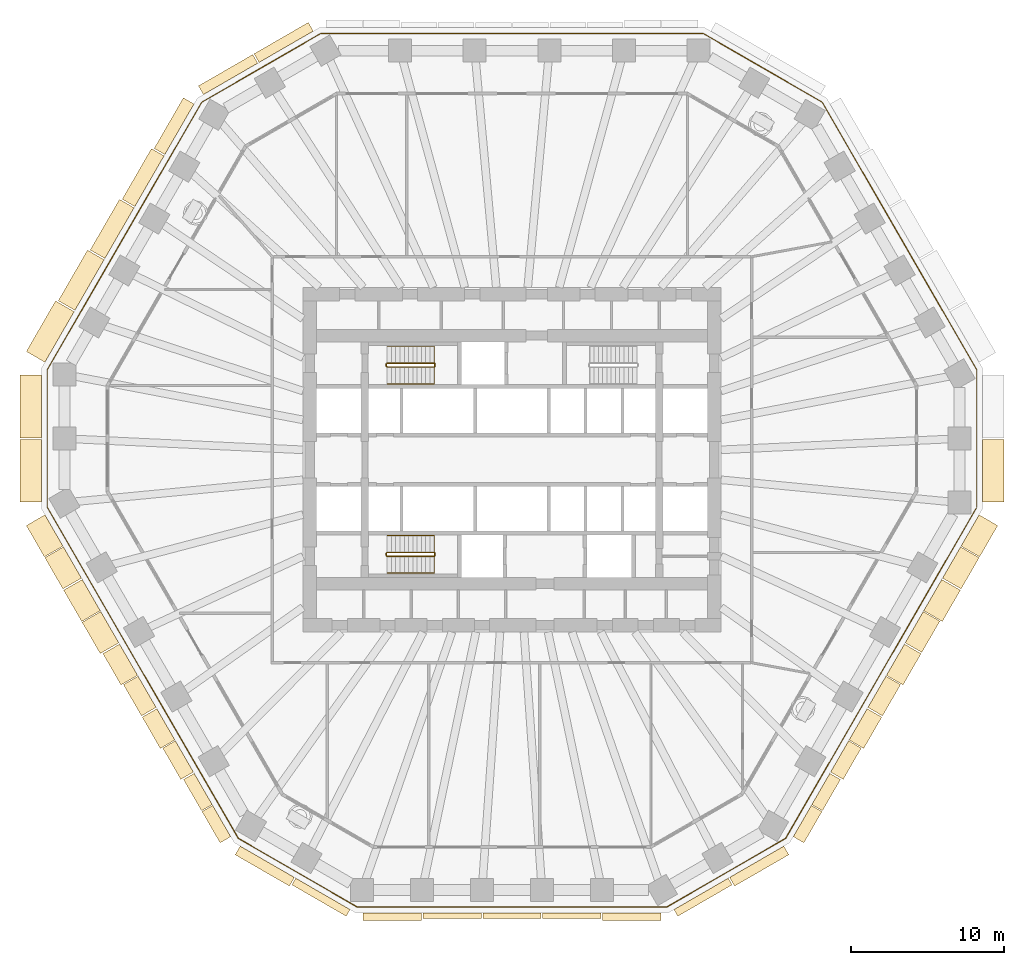
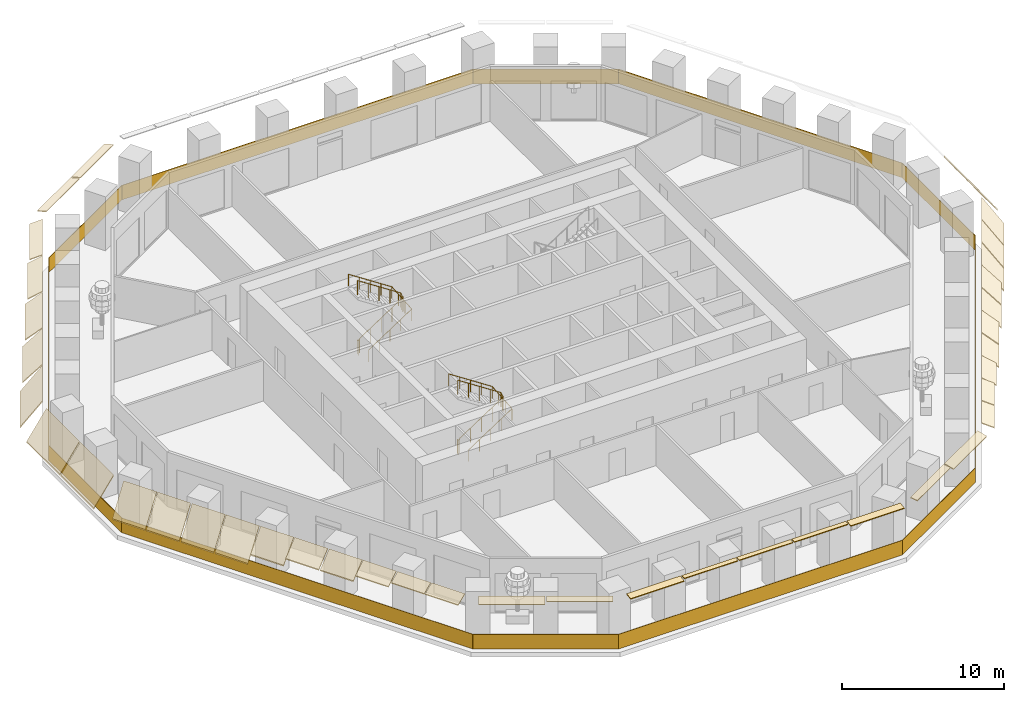
# One storey, part 9 of 12: 39 coverings, 5 railings.
"""IFC4 building model written with IfcOpenShell, lengths in metres."""

import ifcopenshell
import ifcopenshell.guid

model = None  # the IFC model being written
_history = None  # IfcOwnerHistory: only IFC2X3 demands one
_inside = {}  # id of a spatial element -> (the spatial element, [elements in it])
_under = {}  # id of a project, library or spatial element -> (it, [spatial elements below it])
_declared = {}  # id of a project -> (the project, [libraries it declares])
_typed = {}  # id of a type object -> (the type object, [elements of that type])
_made_of = {}  # id of a material, layer set ... -> (it, [elements and type objects made of it])


def new_model(schema):
    """Start an empty IFC model of exactly this schema.

    Asked for "IFC4X3", IfcOpenShell would pick the latest addendum, in which some entities
    have other attributes; the version numbers below select the first issue.
    IFC2X3 requires an IfcOwnerHistory on every rooted entity: one is made here for all.
    """
    global model, _history
    if schema == "IFC4X3":
        model = ifcopenshell.file(schema_version=(4, 3, 0, 0))
    else:
        model = ifcopenshell.file(schema=schema)
    _inside.clear()
    _under.clear()
    _declared.clear()
    _typed.clear()
    _made_of.clear()
    _history = None
    if model.schema == "IFC2X3":
        org = make("IfcOrganization", Name="unknown")
        user = make(
            "IfcPersonAndOrganization",
            ThePerson=make("IfcPerson", FamilyName="unknown"),
            TheOrganization=org,
        )
        app = make(
            "IfcApplication",
            ApplicationDeveloper=org,
            Version="unknown",
            ApplicationFullName="unknown",
            ApplicationIdentifier="unknown",
        )
        _history = make(
            "IfcOwnerHistory",
            OwningUser=user,
            OwningApplication=app,
            ChangeAction="ADDED",
            CreationDate=0,
        )
    return model


def make(cls, **values):
    """One entity of the class cls with the attributes given. An attribute that is None is left unset."""
    return model.create_entity(
        cls, **{name: value for name, value in values.items() if value is not None}
    )


def rooted(cls, **values):
    """An entity with a GlobalId (a new one), such as an element, a storey or a relation."""
    return make(cls, GlobalId=ifcopenshell.guid.new(), OwnerHistory=_history, **values)


def si_unit(unit_type, name, prefix=None):
    """IfcSIUnit, for example si_unit("LENGTHUNIT", "METRE", prefix="MILLI")."""
    return make("IfcSIUnit", UnitType=unit_type, Prefix=prefix, Name=name)


def assignment(units):
    """IfcUnitAssignment: the units of a project."""
    return None if units is None else make("IfcUnitAssignment", Units=units)


def point(xyz):
    """IfcCartesianPoint."""
    return None if xyz is None else make("IfcCartesianPoint", Coordinates=xyz)


def direction(xyz):
    """IfcDirection."""
    return None if xyz is None else make("IfcDirection", DirectionRatios=xyz)


def frame(location, z_axis=None, x_axis=None):
    """IfcAxis2Placement3D, a coordinate frame: its origin and axes. An axis left out is left unset."""
    return make(
        "IfcAxis2Placement3D",
        Location=point(location),
        Axis=direction(z_axis),
        RefDirection=direction(x_axis),
    )


def frame_2d(location, x_axis=None):
    """IfcAxis2Placement2D, a coordinate frame in the plane: its origin and x axis."""
    return make(
        "IfcAxis2Placement2D", Location=point(location), RefDirection=direction(x_axis)
    )


def origin():
    """The frame at (0, 0, 0) with its axes left unset."""
    return frame((0.0, 0.0, 0.0))


def origin_2d():
    """The frame at (0, 0) in the plane with its x axis left unset."""
    return frame_2d((0.0, 0.0))


def place(relative_to, where):
    """IfcLocalPlacement: puts the frame where relative to a parent placement (None: the world)."""
    return make(
        "IfcLocalPlacement", PlacementRelTo=relative_to, RelativePlacement=where
    )


def context(
    kind, dimensions, precision=None, world=None, true_north=None, identifier=None
):
    """IfcGeometricRepresentationContext, for example the 3D "Model" context."""
    return make(
        "IfcGeometricRepresentationContext",
        ContextIdentifier=identifier,
        ContextType=kind,
        CoordinateSpaceDimension=dimensions,
        Precision=precision,
        WorldCoordinateSystem=world,
        TrueNorth=true_north,
    )


def subcontext(parent, identifier, kind, view, scale=None):
    """IfcGeometricRepresentationSubContext, for example "Body" below "Model"."""
    return make(
        "IfcGeometricRepresentationSubContext",
        ContextIdentifier=identifier,
        ContextType=kind,
        ParentContext=parent,
        TargetScale=scale,
        TargetView=view,
    )


def project(units=None, contexts=None):
    """IfcProject with its units and contexts."""
    return rooted(
        "IfcProject",
        Name="project",
        RepresentationContexts=contexts,
        UnitsInContext=assignment(units),
    )


def spatial(cls, under=None, at=None, **own):
    """A site, building, storey or space (cls), placed at a placement, below another one or the project."""
    s = rooted(cls, ObjectPlacement=at, **own)
    if under is not None:
        _under.setdefault(under.id(), (under, []))[1].append(s)
    return s


def polyline(points):
    """IfcPolyline through the points."""
    return make("IfcPolyline", Points=[point(p) for p in points])


def profile(cls, at=None, kind="AREA", **sizes):
    """A parametric profile (cls). Its sizes go by their IFC names, for example OverallWidth=200.0."""
    return make(cls, ProfileType=kind, Position=at, **sizes)


def rectangle(**sizes):
    """IfcRectangleProfileDef."""
    return profile("IfcRectangleProfileDef", **sizes)


def circle(**sizes):
    """IfcCircleProfileDef."""
    return profile("IfcCircleProfileDef", **sizes)


def outline(outer, holes=None, kind="AREA"):
    """IfcArbitraryClosedProfileDef: a profile drawn as a closed curve; with holes, ...WithVoids."""
    if holes is None:
        return make("IfcArbitraryClosedProfileDef", ProfileType=kind, OuterCurve=outer)
    return make(
        "IfcArbitraryProfileDefWithVoids",
        ProfileType=kind,
        OuterCurve=outer,
        InnerCurves=holes,
    )


def extrude(swept, where, along, depth):
    """IfcExtrudedAreaSolid: the profile swept, set in the frame where, extruded along a direction by depth."""
    return make(
        "IfcExtrudedAreaSolid",
        SweptArea=swept,
        Position=where,
        ExtrudedDirection=direction(along),
        Depth=depth,
    )


def shape(context_of_items, identifier, shape_type, items):
    """IfcShapeRepresentation: the items that make up one representation, for example the "Body"."""
    return make(
        "IfcShapeRepresentation",
        ContextOfItems=context_of_items,
        RepresentationIdentifier=identifier,
        RepresentationType=shape_type,
        Items=items,
    )


def material(Name=None, Category=None):
    """IfcMaterial."""
    return make("IfcMaterial", Name=Name, Category=Category)


def layer(
    of_material, thickness, ventilated=None, Name=None, Category=None, Priority=None
):
    """IfcMaterialLayer: one layer of a wall or slab, of a material (None: an air gap)."""
    return make(
        "IfcMaterialLayer",
        Material=of_material,
        LayerThickness=thickness,
        IsVentilated=ventilated,
        Name=Name,
        Category=Category,
        Priority=Priority,
    )


def layer_set(layers, Name=None):
    """IfcMaterialLayerSet."""
    return make("IfcMaterialLayerSet", MaterialLayers=layers, LayerSetName=Name)


def made_of(thing, what):
    """Note that an element or type object is made of a material, layer set ...; save() writes the relation."""
    if what is not None:
        _made_of.setdefault(what.id(), (what, []))[1].append(thing)
    return thing


def type_object(cls, material=None, **own):
    """A type object (cls), such as IfcWallType, which elements share."""
    return made_of(rooted(cls, **own), material)


def element(
    cls,
    number,
    at=None,
    inside=None,
    cuts=None,
    type_object=None,
    material=None,
    context=None,
    identifier="Body",
    shape_type=None,
    held_by="IfcProductDefinitionShape",
    body=None,
    shapes=None,
    **own,
):
    """One element of the class cls, such as IfcWall. Its Tag is "e" and its number.

    at: its placement. inside: the storey or other place that contains it. cuts: it is an
    opening in that element (IfcRelVoidsElement). A single representation is given by context,
    identifier, shape_type and body (its items); several are given by shapes. held_by: the class
    of the entity that holds the representations. save() writes the other relations.
    """
    e = rooted(cls, Tag="e%d" % number, ObjectPlacement=at, **own)
    if body is not None:
        shapes = [shape(context, identifier, shape_type, body)]
    if shapes is not None:
        e.Representation = make(held_by, Representations=shapes)
    if inside is not None:
        _inside.setdefault(inside.id(), (inside, []))[1].append(e)
    if cuts is not None:
        rooted(
            "IfcRelVoidsElement", RelatingBuildingElement=cuts, RelatedOpeningElement=e
        )
    if type_object is not None:
        _typed.setdefault(type_object.id(), (type_object, []))[1].append(e)
    return made_of(e, material)


def aggregate(whole, parts):
    """IfcRelAggregates: a whole, such as a stair, and the parts it consists of."""
    return rooted("IfcRelAggregates", RelatingObject=whole, RelatedObjects=parts)


def save(model, path):
    """Write the relations noted so far, then the file.

    IfcRelAggregates (storeys below a building ...), IfcRelContainedInSpatialStructure (elements
    in a storey), IfcRelDefinesByType, IfcRelAssociatesMaterial and IfcRelDeclares: one each for
    every whole, place, type object, material and project.
    """
    for whole, parts in _under.values():
        aggregate(whole, parts)
    for where, things in _inside.values():
        rooted(
            "IfcRelContainedInSpatialStructure",
            RelatedElements=things,
            RelatingStructure=where,
        )
    for kind, things in _typed.values():
        rooted("IfcRelDefinesByType", RelatedObjects=things, RelatingType=kind)
    for what, things in _made_of.values():
        rooted("IfcRelAssociatesMaterial", RelatedObjects=things, RelatingMaterial=what)
    for by, libraries in _declared.values():
        rooted("IfcRelDeclares", RelatingContext=by, RelatedDefinitions=libraries)
    model.write(path)


model = new_model("IFC4")

# Units and contexts
model_context = context("Model", 3, precision=1e-05, world=origin(), true_north=direction((0.0, 1.0)))
body_context = subcontext(model_context, "Body", "Model", "MODEL_VIEW")
ifc_project = project(units=[si_unit("LENGTHUNIT", "METRE"), si_unit("AREAUNIT", "SQUARE_METRE"), si_unit("VOLUMEUNIT", "CUBIC_METRE"), si_unit("PLANEANGLEUNIT", "RADIAN"), si_unit("MASSUNIT", "GRAM", prefix="KILO")], contexts=[model_context])

# Site, building, storey
site_placement = place(None, origin())
site = spatial("IfcSite", under=ifc_project, at=site_placement, CompositionType="ELEMENT")
building_placement = place(site_placement, origin())
building = spatial("IfcBuilding", under=site, at=building_placement, Name="Frailejon Research Tower", CompositionType="ELEMENT")
storey_placement = place(building_placement, frame((0.0, 0.0, 58.60009765625)))
storey = spatial("IfcBuildingStorey", under=building, at=storey_placement, Name="L13", CompositionType="ELEMENT", Elevation=58.60009765625)

# Coverings
ifc_material_1 = material(Name="Precast concrete C50/60", Category="concrete")
ifc_layer_1 = layer(ifc_material_1, 0.06005859375)
ifc_layer_set_1 = layer_set([ifc_layer_1], Name="Brim blade depth 1100")
covering_type_1 = type_object("IfcCoveringType", Name="Brim blade depth 1100", PredefinedType="CLADDING", material=ifc_layer_set_1)
covering_1_placement = place(storey_placement, frame((-26.572509765625, 13.140380859375, 4.25), z_axis=(0.500001217064, 0.866024701111, 0.0), x_axis=(-0.866024701111, 0.500001217064, 0.0)))
element("IfcCovering", 1, at=covering_1_placement, inside=storey, type_object=covering_type_1, Name="Brim blade L13", PredefinedType="CLADDING", context=body_context, shape_type="SweptSolid", body=[
    extrude(outline(polyline([(0.0, -0.078369140625), (1.10009765625, -1.001220703125), (1.10009765625, -0.923095703125), (0.0, 0.0), (0.0, -0.078369140625)])), origin(), (0.0, 0.0, 1.0), 3.8125),
])
for number, where, z_axis, x_axis, name in (
    (2, (-23.229248046875, -16.165771484375, 4.25), (-0.50000563012, 0.866022153209, 0.0), (-0.866022153209, -0.50000563012, 0.0), "Brim blade L13"),
    (3, (-22.001708984375, -18.2919921875, 4.25), (-0.499996739973, 0.866027285954, 0.0), (-0.866027285954, -0.499996739973, 0.0), "Brim blade L13"),
    (4, (23.17919921875, -16.252197265625, 4.25), (-0.499996739973, -0.866027285954, 0.0), (0.866027285954, -0.499996739973, 0.0), "Brim blade L13"),
    (5, (24.406982421875, -14.1259765625, 4.25), (-0.50000563012, -0.866022153209, 0.0), (0.866022153209, -0.50000563012, 0.0), "Brim blade L13"),
):
    element("IfcCovering", number, at=place(storey_placement, frame(where, z_axis=z_axis, x_axis=x_axis)), inside=storey, type_object=covering_type_1, Name=name, PredefinedType="CLADDING", context=body_context, shape_type="SweptSolid", body=[
        extrude(outline(polyline([(0.0, -0.078369140625), (1.10009765625, -1.001220703125), (1.10009765625, -0.923095703125), (0.0, 0.0), (0.0, -0.078369140625)])), origin(), (0.0, 0.0, 1.0), 2.355224609375),
    ])
ifc_material_2 = material(Name="Precast concrete C50/60", Category="concrete")
ifc_layer_2 = layer(ifc_material_2, 0.06005859375)
ifc_layer_set_2 = layer_set([ifc_layer_2], Name="Brim blade depth 1250")
covering_type_2 = type_object("IfcCoveringType", Name="Brim blade depth 1250", PredefinedType="CLADDING", material=ifc_layer_set_2)
covering_2_placement = place(storey_placement, frame((-28.52880859375, 9.751953125, 4.25), z_axis=(0.499990149831, 0.866031090707, 0.0), x_axis=(-0.866031090707, 0.499990149831, 0.0)))
element("IfcCovering", 6, at=covering_2_placement, inside=storey, type_object=covering_type_2, Name="Brim blade L13", PredefinedType="CLADDING", context=body_context, shape_type="SweptSolid", body=[
    extrude(outline(polyline([(0.0, -0.0888671875), (1.25, -1.452880859375), (1.25, -1.364013671875), (0.0, 0.0), (0.0, -0.0888671875)])), origin(), (0.0, 0.0, 1.0), 3.812744140625),
])
for number, where, z_axis, x_axis, name in (
    (7, (-24.43701171875, -14.073974609375, 4.25), (-0.50000563012, 0.866022153209, 0.0), (-0.866022153209, -0.50000563012, 0.0), "Brim blade L13"),
    (8, (25.614501953125, -12.0341796875, 4.25), (-0.50000563012, -0.866022153209, 0.0), (0.866022153209, -0.50000563012, 0.0), "Brim blade L13"),
    (9, (26.84228515625, -9.907958984375, 4.25), (-0.499996739973, -0.866027285954, 0.0), (0.866027285954, -0.499996739973, 0.0), "Brim blade L13"),
):
    element("IfcCovering", number, at=place(storey_placement, frame(where, z_axis=z_axis, x_axis=x_axis)), inside=storey, type_object=covering_type_2, Name=name, PredefinedType="CLADDING", context=body_context, shape_type="SweptSolid", body=[
        extrude(outline(polyline([(0.0, -0.0888671875), (1.25, -1.452880859375), (1.25, -1.364013671875), (0.0, 0.0), (0.0, -0.0888671875)])), origin(), (0.0, 0.0, 1.0), 2.355224609375),
    ])
ifc_material_3 = material(Name="Precast concrete C50/60", Category="concrete")
ifc_layer_3 = layer(ifc_material_3, 0.06005859375)
ifc_layer_set_3 = layer_set([ifc_layer_3], Name="Brim blade depth 1400")
covering_type_3 = type_object("IfcCoveringType", Name="Brim blade depth 1400", PredefinedType="CLADDING", material=ifc_layer_set_3)
covering_3_placement = place(storey_placement, frame((30.711181640625, 1.332763671875, 4.25), z_axis=(0.0, -1.0, 0.0), x_axis=(1.0, 0.0, 0.0)))
element("IfcCovering", 10, at=covering_3_placement, inside=storey, type_object=covering_type_3, Name="Brim blade L13", PredefinedType="CLADDING", context=body_context, shape_type="SweptSolid", body=[
    extrude(outline(polyline([(0.0, -0.1044921875), (1.39990234375, -2.10400390625), (1.39990234375, -1.99951171875), (0.0, 0.0), (0.0, -0.1044921875)])), origin(), (0.0, 0.0, 1.0), 4.087646484375),
])
covering_4_placement = place(storey_placement, frame((-30.485107421875, 6.363525390625, 4.25), z_axis=(0.500001217064, 0.866024701111, 0.0), x_axis=(-0.866024701111, 0.500001217064, 0.0)))
element("IfcCovering", 11, at=covering_4_placement, inside=storey, type_object=covering_type_3, Name="Brim blade L13", PredefinedType="CLADDING", context=body_context, shape_type="SweptSolid", body=[
    extrude(outline(polyline([(0.0, -0.1044921875), (1.39990234375, -2.10400390625), (1.39990234375, -1.99951171875), (0.0, 0.0), (0.0, -0.1044921875)])), origin(), (0.0, 0.0, 1.0), 3.8125),
])
covering_5_placement = place(storey_placement, frame((-30.711181640625, 1.432861328125, 4.25), z_axis=(0.0, 1.0, 0.0), x_axis=(-1.0, 0.0, 0.0)))
element("IfcCovering", 12, at=covering_5_placement, inside=storey, type_object=covering_type_3, Name="Brim blade L13", PredefinedType="CLADDING", context=body_context, shape_type="SweptSolid", body=[
    extrude(outline(polyline([(0.0, -0.1044921875), (1.39990234375, -2.10400390625), (1.39990234375, -1.99951171875), (0.0, 0.0), (0.0, -0.1044921875)])), origin(), (0.0, 0.0, 1.0), 4.08740234375),
])
covering_6_placement = place(storey_placement, frame((-30.711181640625, -2.7548828125, 4.25), z_axis=(0.0, 1.0, 0.0), x_axis=(-1.0, 0.0, 0.0)))
element("IfcCovering", 13, at=covering_6_placement, inside=storey, type_object=covering_type_3, Name="Brim blade L13", PredefinedType="CLADDING", context=body_context, shape_type="SweptSolid", body=[
    extrude(outline(polyline([(0.0, -0.1044921875), (1.39990234375, -2.10400390625), (1.39990234375, -1.99951171875), (0.0, 0.0), (0.0, -0.1044921875)])), origin(), (0.0, 0.0, 1.0), 4.087646484375),
])
for number, where, z_axis, x_axis, name in (
    (14, (-29.3076171875, -5.637939453125, 4.25), (-0.499996739973, 0.866027285954, 0.0), (-0.866027285954, -0.499996739973, 0.0), "Brim blade L13"),
    (15, (-28.099853515625, -7.7294921875, 4.25), (-0.499996739973, 0.866027285954, 0.0), (-0.866027285954, -0.499996739973, 0.0), "Brim blade L13"),
    (16, (-26.872314453125, -9.85595703125, 4.25), (-0.499996739973, 0.866027285954, 0.0), (-0.866027285954, -0.499996739973, 0.0), "Brim blade L13"),
    (17, (-25.66455078125, -11.94775390625, 4.25), (-0.499996739973, 0.866027285954, 0.0), (-0.866027285954, -0.499996739973, 0.0), "Brim blade L13"),
    (18, (28.0498046875, -7.816162109375, 4.25), (-0.499996739973, -0.866027285954, 0.0), (0.866027285954, -0.499996739973, 0.0), "Brim blade L13"),
    (19, (29.277587890625, -5.689697265625, 4.25), (-0.499996739973, -0.866027285954, 0.0), (0.866027285954, -0.499996739973, 0.0), "Brim blade L13"),
    (20, (30.485107421875, -3.59814453125, 4.25), (-0.499996739973, -0.866027285954, 0.0), (0.866027285954, -0.499996739973, 0.0), "Brim blade L13"),
):
    element("IfcCovering", number, at=place(storey_placement, frame(where, z_axis=z_axis, x_axis=x_axis)), inside=storey, type_object=covering_type_3, Name=name, PredefinedType="CLADDING", context=body_context, shape_type="SweptSolid", body=[
        extrude(outline(polyline([(0.0, -0.1044921875), (1.39990234375, -2.10400390625), (1.39990234375, -1.99951171875), (0.0, 0.0), (0.0, -0.1044921875)])), origin(), (0.0, 0.0, 1.0), 2.355224609375),
    ])
ifc_material_4 = material(Name="Precast concrete C50/60", Category="concrete")
ifc_layer_4 = layer(ifc_material_4, 0.06005859375)
ifc_layer_set_4 = layer_set([ifc_layer_4], Name="Brim blade depth 350")
covering_type_4 = type_object("IfcCoveringType", Name="Brim blade depth 350", PredefinedType="CLADDING", material=ifc_layer_set_4)
for number, where, z_axis, x_axis, name in (
    (21, (-2.00634765625, -29.582763671875, 4.25), (-1.0, 0.0, 0.0), (0.0, -1.0, 0.0), "Brim blade L13"),
    (22, (1.90625, -29.582763671875, 4.25), (-1.0, 0.0, 0.0), (0.0, -1.0, 0.0), "Brim blade L13"),
    (23, (5.81884765625, -29.582763671875, 4.25), (-1.0, 0.0, 0.0), (0.0, -1.0, 0.0), "Brim blade L13"),
):
    element("IfcCovering", number, at=place(storey_placement, frame(where, z_axis=z_axis, x_axis=x_axis)), inside=storey, type_object=covering_type_4, Name=name, PredefinedType="CLADDING", context=body_context, shape_type="SweptSolid", body=[
        extrude(outline(polyline([(0.0, -0.06005859375), (0.35009765625, -0.06005859375), (0.35009765625, 0.0), (0.0, 0.0), (0.0, -0.06005859375)])), origin(), (0.0, 0.0, 1.0), 3.8125),
    ])
ifc_material_5 = material(Name="Precast concrete C50/60", Category="concrete")
ifc_layer_5 = layer(ifc_material_5, 0.06005859375)
ifc_layer_set_5 = layer_set([ifc_layer_5], Name="Brim blade depth 500")
covering_type_5 = type_object("IfcCoveringType", Name="Brim blade depth 500", PredefinedType="CLADDING", material=ifc_layer_set_5)
covering_7_placement = place(storey_placement, frame((-10.57470703125, -29.356689453125, 4.25), z_axis=(-0.866027315287, 0.499996689166, 0.0), x_axis=(-0.499996689166, -0.866027315287, 0.0)))
element("IfcCovering", 24, at=covering_7_placement, inside=storey, type_object=covering_type_5, Name="Brim blade L13", PredefinedType="CLADDING", context=body_context, shape_type="SweptSolid", body=[
    extrude(outline(polyline([(0.0, -0.060546875), (0.5, -0.130859375), (0.5, -0.0703125), (0.0, 0.0), (0.0, -0.060546875)])), origin(), (0.0, 0.0, 1.0), 4.087646484375),
])
for number, where, z_axis, x_axis, name in (
    (25, (-5.9189453125, -29.582763671875, 4.25), (-1.0, 0.0, 0.0), (0.0, -1.0, 0.0), "Brim blade L13"),
    (26, (9.7314453125, -29.582763671875, 4.25), (-1.0, 0.0, 0.0), (0.0, -1.0, 0.0), "Brim blade L13"),
):
    element("IfcCovering", number, at=place(storey_placement, frame(where, z_axis=z_axis, x_axis=x_axis)), inside=storey, type_object=covering_type_5, Name=name, PredefinedType="CLADDING", context=body_context, shape_type="SweptSolid", body=[
        extrude(outline(polyline([(0.0, -0.060546875), (0.5, -0.130859375), (0.5, -0.0703125), (0.0, 0.0), (0.0, -0.060546875)])), origin(), (0.0, 0.0, 1.0), 3.8125),
    ])
covering_8_placement = place(storey_placement, frame((14.11474609375, -27.31298828125, 4.25), z_axis=(-0.866027315287, -0.499996689166, 0.0), x_axis=(0.499996689166, -0.866027315287, 0.0)))
element("IfcCovering", 27, at=covering_8_placement, inside=storey, type_object=covering_type_5, Name="Brim blade L13", PredefinedType="CLADDING", context=body_context, shape_type="SweptSolid", body=[
    extrude(outline(polyline([(0.0, -0.060546875), (0.5, -0.130859375), (0.5, -0.0703125), (0.0, 0.0), (0.0, -0.060546875)])), origin(), (0.0, 0.0, 1.0), 4.087646484375),
])
ifc_material_6 = material(Name="Precast concrete C50/60", Category="concrete")
ifc_layer_6 = layer(ifc_material_6, 0.06005859375)
ifc_layer_set_6 = layer_set([ifc_layer_6], Name="Brim blade depth 650")
covering_type_6 = type_object("IfcCoveringType", Name="Brim blade depth 650", PredefinedType="CLADDING", material=ifc_layer_set_6)
covering_9_placement = place(storey_placement, frame((-16.509765625, 25.93017578125, 4.25), z_axis=(0.866027315287, 0.499996689166, 0.0), x_axis=(-0.499996689166, 0.866027315287, 0.0)))
element("IfcCovering", 28, at=covering_9_placement, inside=storey, type_object=covering_type_6, Name="Brim blade L13", PredefinedType="CLADDING", context=body_context, shape_type="SweptSolid", body=[
    extrude(outline(polyline([(0.0, -0.0625), (0.64990234375, -0.248779296875), (0.64990234375, -0.186279296875), (0.0, 0.0), (0.0, -0.0625)])), origin(), (0.0, 0.0, 1.0), 4.087646484375),
])
for number, where, z_axis, x_axis, name in (
    (29, (-20.13623046875, 23.83642578125, 4.25), (0.866021344981, 0.500007029989, 0.0), (-0.500007029989, 0.866021344981, 0.0), "Brim blade L13"),
    (30, (-14.201416015625, -27.262939453125, 4.25), (-0.866021344981, 0.500007029989, 0.0), (-0.500007029989, -0.866021344981, 0.0), "Brim blade L13"),
    (31, (17.7412109375, -25.21923828125, 4.25), (-0.866021344981, -0.500007029989, 0.0), (0.500007029989, -0.866021344981, 0.0), "Brim blade L13"),
):
    element("IfcCovering", number, at=place(storey_placement, frame(where, z_axis=z_axis, x_axis=x_axis)), inside=storey, type_object=covering_type_6, Name=name, PredefinedType="CLADDING", context=body_context, shape_type="SweptSolid", body=[
        extrude(outline(polyline([(0.0, -0.0625), (0.64990234375, -0.248779296875), (0.64990234375, -0.186279296875), (0.0, 0.0), (0.0, -0.0625)])), origin(), (0.0, 0.0, 1.0), 4.08740234375),
    ])
ifc_material_7 = material(Name="Precast concrete C50/60", Category="concrete")
ifc_layer_7 = layer(ifc_material_7, 0.06005859375)
ifc_layer_set_7 = layer_set([ifc_layer_7], Name="Brim blade depth 800")
covering_type_7 = type_object("IfcCoveringType", Name="Brim blade depth 800", PredefinedType="CLADDING", material=ifc_layer_set_7)
covering_10_placement = place(storey_placement, frame((-22.659912109375, 19.917236328125, 4.25), z_axis=(0.500001217064, 0.866024701111, 0.0), x_axis=(-0.866024701111, 0.500001217064, 0.0)))
element("IfcCovering", 32, at=covering_10_placement, inside=storey, type_object=covering_type_7, Name="Brim blade L13", PredefinedType="CLADDING", context=body_context, shape_type="SweptSolid", body=[
    extrude(outline(polyline([(0.0, -0.065673828125), (0.800048828125, -0.421875), (0.800048828125, -0.356201171875), (0.0, 0.0), (0.0, -0.065673828125)])), origin(), (0.0, 0.0, 1.0), 3.8125),
])
for number, where, z_axis, x_axis, name in (
    (33, (-19.56640625, -22.51025390625, 4.25), (-0.499996739973, 0.866027285954, 0.0), (-0.866027285954, -0.499996739973, 0.0), "Brim blade L13"),
    (34, (-18.358642578125, -24.601806640625, 4.25), (-0.499996739973, 0.866027285954, 0.0), (-0.866027285954, -0.499996739973, 0.0), "Brim blade L13"),
    (35, (19.536376953125, -22.56201171875, 4.25), (-0.499996739973, -0.866027285954, 0.0), (0.866027285954, -0.499996739973, 0.0), "Brim blade L13"),
    (36, (20.743896484375, -20.470458984375, 4.25), (-0.499996739973, -0.866027285954, 0.0), (0.866027285954, -0.499996739973, 0.0), "Brim blade L13"),
):
    element("IfcCovering", number, at=place(storey_placement, frame(where, z_axis=z_axis, x_axis=x_axis)), inside=storey, type_object=covering_type_7, Name=name, PredefinedType="CLADDING", context=body_context, shape_type="SweptSolid", body=[
        extrude(outline(polyline([(0.0, -0.065673828125), (0.800048828125, -0.421875), (0.800048828125, -0.356201171875), (0.0, 0.0), (0.0, -0.065673828125)])), origin(), (0.0, 0.0, 1.0), 2.355224609375),
    ])
ifc_material_8 = material(Name="Precast concrete C50/60", Category="concrete")
ifc_layer_8 = layer(ifc_material_8, 0.06005859375)
ifc_layer_set_8 = layer_set([ifc_layer_8], Name="Brim blade depth 950")
covering_type_8 = type_object("IfcCoveringType", Name="Brim blade depth 950", PredefinedType="CLADDING", material=ifc_layer_set_8)
covering_11_placement = place(storey_placement, frame((-24.6162109375, 16.52880859375, 4.25), z_axis=(0.500001217064, 0.866024701111, 0.0), x_axis=(-0.866024701111, 0.500001217064, 0.0)))
element("IfcCovering", 37, at=covering_11_placement, inside=storey, type_object=covering_type_8, Name="Brim blade L13", PredefinedType="CLADDING", context=body_context, shape_type="SweptSolid", body=[
    extrude(outline(polyline([(0.0, -0.07080078125), (0.949951171875, -0.664306640625), (0.949951171875, -0.593505859375), (0.0, 0.0), (0.0, -0.07080078125)])), origin(), (0.0, 0.0, 1.0), 3.8125),
])
for number, where, z_axis, x_axis, name in (
    (38, (-20.7939453125, -20.3837890625, 4.25), (-0.499996739973, 0.866027285954, 0.0), (-0.866027285954, -0.499996739973, 0.0), "Brim blade L13"),
    (39, (21.9716796875, -18.343994140625, 4.25), (-0.499996739973, -0.866027285954, 0.0), (0.866027285954, -0.499996739973, 0.0), "Brim blade L13"),
):
    element("IfcCovering", number, at=place(storey_placement, frame(where, z_axis=z_axis, x_axis=x_axis)), inside=storey, type_object=covering_type_8, Name=name, PredefinedType="CLADDING", context=body_context, shape_type="SweptSolid", body=[
        extrude(outline(polyline([(0.0, -0.07080078125), (0.949951171875, -0.664306640625), (0.949951171875, -0.593505859375), (0.0, 0.0), (0.0, -0.07080078125)])), origin(), (0.0, 0.0, 1.0), 2.355224609375),
    ])

# Railings
ifc_material_9 = material(Name="Laminated glass balustrade", Category="glass")
railing_type_1 = type_object("IfcRailingType", Name="Glass guard 1100", PredefinedType="GUARDRAIL", material=ifc_material_9)
railing_1_placement = place(storey_placement, frame((30.331787109375, -3.10498046875, 0.0)))
element("IfcRailing", 40, at=railing_1_placement, inside=storey, type_object=railing_type_1, Name="Loggia guard L13", PredefinedType="GUARDRAIL", context=body_context, shape_type="SweptSolid", body=[
    extrude(rectangle(XDim=8.9755859375, YDim=0.030029296875, at=origin_2d()), frame((0.0, 4.48779296875, 0.0), z_axis=(0.0, 0.0, 1.0), x_axis=(0.0, 1.0, 0.0)), (0.0, 0.0, 1.0), 1.10009765625),
    extrude(rectangle(XDim=20.163818359375, YDim=0.030029296875, at=origin_2d()), frame((-5.041015625, 17.706787109375, 0.0), z_axis=(0.0, 0.0, 1.0), x_axis=(-0.499994956871, 0.866028315417, 0.0)), (0.0, 0.0, 1.0), 1.10009765625),
    extrude(rectangle(XDim=8.9755859375, YDim=0.030029296875, at=origin_2d()), frame((-13.96826171875, 28.681884765625, 0.0), z_axis=(0.0, 0.0, 1.0), x_axis=(-0.866028409771, 0.499994793442, 0.0)), (0.0, 0.0, 1.0), 1.10009765625),
    extrude(rectangle(XDim=24.95361328125, YDim=0.030029296875, at=origin_2d()), frame((-30.331787109375, 30.92578125, 0.0), z_axis=(0.0, 0.0, 1.0), x_axis=(-1.0, 0.0, 0.0)), (0.0, 0.0, 1.0), 1.10009765625),
    extrude(rectangle(XDim=8.9755859375, YDim=0.030029296875, at=origin_2d()), frame((-46.6953125, 28.681884765625, 0.0), z_axis=(0.0, 0.0, 1.0), x_axis=(-0.866028409771, -0.499994793442, 0.0)), (0.0, 0.0, 1.0), 1.10009765625),
    extrude(rectangle(XDim=20.163818359375, YDim=0.030029296875, at=origin_2d()), frame((-55.62255859375, 17.706787109375, 0.0), z_axis=(0.0, 0.0, 1.0), x_axis=(-0.499994956871, -0.866028315417, 0.0)), (0.0, 0.0, 1.0), 1.10009765625),
    extrude(rectangle(XDim=8.9755859375, YDim=0.030029296875, at=origin_2d()), frame((-60.66357421875, 4.48779296875, 0.0), z_axis=(0.0, 0.0, 1.0), x_axis=(0.0, -1.0, 0.0)), (0.0, 0.0, 1.0), 1.10009765625),
    extrude(rectangle(XDim=24.953857421875, YDim=0.030029296875, at=origin_2d()), frame((-54.42529296875, -10.805419921875, 0.0), z_axis=(0.0, 0.0, 1.0), x_axis=(0.499993461121, -0.866029178975, 0.0)), (0.0, 0.0, 1.0), 1.10009765625),
    extrude(rectangle(XDim=8.9755859375, YDim=0.030029296875, at=origin_2d()), frame((-44.30029296875, -23.854736328125, 0.0), z_axis=(0.0, 0.0, 1.0), x_axis=(0.866028409771, -0.499994793442, 0.0)), (0.0, 0.0, 1.0), 1.10009765625),
    extrude(rectangle(XDim=20.16357421875, YDim=0.030029296875, at=origin_2d()), frame((-30.331787109375, -26.0986328125, 0.0), z_axis=(0.0, 0.0, 1.0), x_axis=(1.0, 0.0, 0.0)), (0.0, 0.0, 1.0), 1.10009765625),
    extrude(rectangle(XDim=8.9755859375, YDim=0.030029296875, at=origin_2d()), frame((-16.36328125, -23.854736328125, 0.0), z_axis=(0.0, 0.0, 1.0), x_axis=(0.866028409771, 0.499994793442, 0.0)), (0.0, 0.0, 1.0), 1.10009765625),
    extrude(rectangle(XDim=24.8837890625, YDim=0.030029296875, at=origin_2d()), frame((-6.255859375, -10.8359375, 0.0), z_axis=(0.0, 0.0, 1.0), x_axis=(0.499999036702, 0.866025959944, 0.0)), (0.0, 0.0, 1.0), 1.10009765625),
])
ifc_material_10 = material(Name="Stainless steel", Category="steel")
railing_type_2 = type_object("IfcRailingType", Name="Stair guard 1100", PredefinedType="GUARDRAIL", material=ifc_material_10)
railing_2_placement = place(storey_placement, frame((-8.199951171875, 6.25, 0.0)))
element("IfcRailing", 41, at=railing_2_placement, inside=storey, type_object=railing_type_2, Name="L13 ST1 stair guard 1", PredefinedType="GUARDRAIL", context=body_context, shape_type="SweptSolid", body=[
    extrude(circle(Radius=0.02392578125, at=origin_2d()), frame((0.0, 0.0, 1.076171875), z_axis=(0.0, -1.0, 0.0), x_axis=(1.0, 0.0, 0.0)), (0.0, 0.0, 1.0), 0.14990234375),
    extrude(circle(Radius=0.02392578125, at=origin_2d()), frame((0.0, -0.14990234375, 1.076171875), z_axis=(0.254653276557, -0.254653276557, 0.932900539971), x_axis=(0.707106781187, 0.707106781187, 0.0)), (0.0, 0.0, 1.0), 0.196533203125),
    extrude(circle(Radius=0.02392578125, at=origin_2d()), frame((0.050048828125, -0.199951171875, 1.25927734375), z_axis=(0.836613101238, 0.0, 0.547794230379), x_axis=(0.0, 1.0, 0.0)), (0.0, 0.0, 1.0), 3.681396484375),
    extrude(circle(Radius=0.02392578125, at=origin_2d()), frame((3.1298828125, -0.199951171875, 3.27587890625), z_axis=(0.707106781187, 0.707106781187, 0.0), x_axis=(-0.707106781187, 0.707106781187, 0.0)), (0.0, 0.0, 1.0), 0.07080078125),
    extrude(circle(Radius=0.02392578125, at=origin_2d()), frame((3.179931640625, -0.14990234375, 3.27587890625), z_axis=(0.0, 1.0, 0.0), x_axis=(-1.0, 0.0, 0.0)), (0.0, 0.0, 1.0), 0.14990234375),
    extrude(circle(Radius=0.02392578125, at=origin_2d()), frame((3.179931640625, 0.0, 3.27587890625), z_axis=(-0.254653276557, 0.254653276557, 0.932900539971), x_axis=(-0.707106781187, -0.707106781187, 0.0)), (0.0, 0.0, 1.0), 0.196533203125),
    extrude(circle(Radius=0.02392578125, at=origin_2d()), frame((3.1298828125, 0.050048828125, 3.45947265625), z_axis=(-0.836613101238, 0.0, 0.547794230379), x_axis=(0.0, -1.0, 0.0)), (0.0, 0.0, 1.0), 3.681396484375),
    extrude(circle(Radius=0.02099609375, at=origin_2d()), origin(), (0.0, 0.0, 1.0), 1.052001953125),
    extrude(circle(Radius=0.02099609375, at=origin_2d()), frame((0.0, -0.14990234375, 0.0)), (0.0, 0.0, 1.0), 1.052001953125),
    extrude(circle(Radius=0.02099609375, at=origin_2d()), frame((0.050048828125, -0.199951171875, 0.183349609375)), (0.0, 0.0, 1.0), 1.052001953125),
    extrude(circle(Radius=0.02099609375, at=origin_2d()), frame((0.820068359375, -0.199951171875, 0.6875)), (0.0, 0.0, 1.0), 1.052001953125),
    extrude(circle(Radius=0.02099609375, at=origin_2d()), frame((1.58984375, -0.199951171875, 1.191650390625)), (0.0, 0.0, 1.0), 1.052001953125),
    extrude(circle(Radius=0.02099609375, at=origin_2d()), frame((2.35986328125, -0.199951171875, 1.69580078125)), (0.0, 0.0, 1.0), 1.052001953125),
    extrude(circle(Radius=0.02099609375, at=origin_2d()), frame((3.1298828125, -0.199951171875, 2.199951171875)), (0.0, 0.0, 1.0), 1.052001953125),
    extrude(circle(Radius=0.02099609375, at=origin_2d()), frame((3.179931640625, -0.14990234375, 2.199951171875)), (0.0, 0.0, 1.0), 1.052001953125),
    extrude(circle(Radius=0.02099609375, at=origin_2d()), frame((3.179931640625, 0.0, 2.199951171875)), (0.0, 0.0, 1.0), 1.052001953125),
    extrude(circle(Radius=0.02099609375, at=origin_2d()), frame((3.1298828125, 0.050048828125, 2.38330078125)), (0.0, 0.0, 1.0), 1.052001953125),
    extrude(circle(Radius=0.02099609375, at=origin_2d()), frame((2.35986328125, 0.050048828125, 2.887451171875)), (0.0, 0.0, 1.0), 1.052001953125),
    extrude(circle(Radius=0.02099609375, at=origin_2d()), frame((1.58984375, 0.050048828125, 3.3916015625)), (0.0, 0.0, 1.0), 1.052001953125),
    extrude(circle(Radius=0.02099609375, at=origin_2d()), frame((0.820068359375, 0.050048828125, 3.895751953125)), (0.0, 0.0, 1.0), 1.052001953125),
    extrude(circle(Radius=0.02099609375, at=origin_2d()), frame((0.050048828125, 0.050048828125, 4.39990234375)), (0.0, 0.0, 1.0), 1.052001953125),
])
railing_3_placement = place(storey_placement, frame((-8.199951171875, -6.10009765625, 0.0)))
element("IfcRailing", 42, at=railing_3_placement, inside=storey, type_object=railing_type_2, Name="L13 ST2 stair guard 1", PredefinedType="GUARDRAIL", context=body_context, shape_type="SweptSolid", body=[
    extrude(circle(Radius=0.02392578125, at=origin_2d()), frame((0.0, 0.0, 1.076171875), z_axis=(0.0, -1.0, 0.0), x_axis=(1.0, 0.0, 0.0)), (0.0, 0.0, 1.0), 0.14990234375),
    extrude(circle(Radius=0.02392578125, at=origin_2d()), frame((0.0, -0.14990234375, 1.076171875), z_axis=(0.254653276557, -0.254653276557, 0.932900539971), x_axis=(0.707106781187, 0.707106781187, 0.0)), (0.0, 0.0, 1.0), 0.196533203125),
    extrude(circle(Radius=0.02392578125, at=origin_2d()), frame((0.050048828125, -0.199951171875, 1.25927734375), z_axis=(0.836613101238, 0.0, 0.547794230379), x_axis=(0.0, 1.0, 0.0)), (0.0, 0.0, 1.0), 3.681396484375),
    extrude(circle(Radius=0.02392578125, at=origin_2d()), frame((3.1298828125, -0.199951171875, 3.27587890625), z_axis=(0.707106781187, 0.707106781187, 0.0), x_axis=(-0.707106781187, 0.707106781187, 0.0)), (0.0, 0.0, 1.0), 0.07080078125),
    extrude(circle(Radius=0.02392578125, at=origin_2d()), frame((3.179931640625, -0.14990234375, 3.27587890625), z_axis=(0.0, 1.0, 0.0), x_axis=(-1.0, 0.0, 0.0)), (0.0, 0.0, 1.0), 0.14990234375),
    extrude(circle(Radius=0.02392578125, at=origin_2d()), frame((3.179931640625, 0.0, 3.27587890625), z_axis=(-0.254653276557, 0.254653276557, 0.932900539971), x_axis=(-0.707106781187, -0.707106781187, 0.0)), (0.0, 0.0, 1.0), 0.196533203125),
    extrude(circle(Radius=0.02392578125, at=origin_2d()), frame((3.1298828125, 0.050048828125, 3.45947265625), z_axis=(-0.836613101238, 0.0, 0.547794230379), x_axis=(0.0, -1.0, 0.0)), (0.0, 0.0, 1.0), 3.681396484375),
    extrude(circle(Radius=0.02099609375, at=origin_2d()), origin(), (0.0, 0.0, 1.0), 1.052001953125),
    extrude(circle(Radius=0.02099609375, at=origin_2d()), frame((0.0, -0.14990234375, 0.0)), (0.0, 0.0, 1.0), 1.052001953125),
    extrude(circle(Radius=0.02099609375, at=origin_2d()), frame((0.050048828125, -0.199951171875, 0.183349609375)), (0.0, 0.0, 1.0), 1.052001953125),
    extrude(circle(Radius=0.02099609375, at=origin_2d()), frame((0.820068359375, -0.199951171875, 0.6875)), (0.0, 0.0, 1.0), 1.052001953125),
    extrude(circle(Radius=0.02099609375, at=origin_2d()), frame((1.58984375, -0.199951171875, 1.191650390625)), (0.0, 0.0, 1.0), 1.052001953125),
    extrude(circle(Radius=0.02099609375, at=origin_2d()), frame((2.35986328125, -0.199951171875, 1.69580078125)), (0.0, 0.0, 1.0), 1.052001953125),
    extrude(circle(Radius=0.02099609375, at=origin_2d()), frame((3.1298828125, -0.199951171875, 2.199951171875)), (0.0, 0.0, 1.0), 1.052001953125),
    extrude(circle(Radius=0.02099609375, at=origin_2d()), frame((3.179931640625, -0.14990234375, 2.199951171875)), (0.0, 0.0, 1.0), 1.052001953125),
    extrude(circle(Radius=0.02099609375, at=origin_2d()), frame((3.179931640625, 0.0, 2.199951171875)), (0.0, 0.0, 1.0), 1.052001953125),
    extrude(circle(Radius=0.02099609375, at=origin_2d()), frame((3.1298828125, 0.050048828125, 2.38330078125)), (0.0, 0.0, 1.0), 1.052001953125),
    extrude(circle(Radius=0.02099609375, at=origin_2d()), frame((2.35986328125, 0.050048828125, 2.887451171875)), (0.0, 0.0, 1.0), 1.052001953125),
    extrude(circle(Radius=0.02099609375, at=origin_2d()), frame((1.58984375, 0.050048828125, 3.3916015625)), (0.0, 0.0, 1.0), 1.052001953125),
    extrude(circle(Radius=0.02099609375, at=origin_2d()), frame((0.820068359375, 0.050048828125, 3.895751953125)), (0.0, 0.0, 1.0), 1.052001953125),
    extrude(circle(Radius=0.02099609375, at=origin_2d()), frame((0.050048828125, 0.050048828125, 4.39990234375)), (0.0, 0.0, 1.0), 1.052001953125),
])
ifc_material_11 = material(Name="Stainless steel", Category="steel")
railing_type_3 = type_object("IfcRailingType", Name="Stair handrail 900", PredefinedType="HANDRAIL", material=ifc_material_11)
railing_4_placement = place(storey_placement, frame((-8.14990234375, 4.949951171875, 0.183349609375)))
element("IfcRailing", 43, at=railing_4_placement, inside=storey, type_object=railing_type_3, Name="L13 ST1 stair handrail 1", PredefinedType="HANDRAIL", context=body_context, shape_type="SweptSolid", body=[
    extrude(circle(Radius=0.02392578125, at=origin_2d()), frame((0.0, 0.0, 0.8759765625), z_axis=(0.836613101238, 0.0, 0.547794230379), x_axis=(0.0, 1.0, 0.0)), (0.0, 0.0, 1.0), 3.681396484375),
    extrude(circle(Radius=0.02392578125, at=origin_2d()), frame((3.079833984375, 0.0, 2.892578125), z_axis=(0.0, 0.99721134034, 0.074629368868), x_axis=(-1.0, 0.0, 0.0)), (0.0, 0.0, 1.0), 2.456787109375),
    extrude(circle(Radius=0.02392578125, at=origin_2d()), frame((3.079833984375, 2.449951171875, 3.07568359375), z_axis=(-0.836613101238, 0.0, 0.547794230379), x_axis=(0.0, -1.0, 0.0)), (0.0, 0.0, 1.0), 3.681396484375),
    extrude(circle(Radius=0.02099609375, at=origin_2d()), origin(), (0.0, 0.0, 1.0), 0.851806640625),
    extrude(circle(Radius=0.02099609375, at=origin_2d()), frame((0.77001953125, 0.0, 0.504150390625)), (0.0, 0.0, 1.0), 0.851806640625),
    extrude(circle(Radius=0.02099609375, at=origin_2d()), frame((1.5400390625, 0.0, 1.00830078125)), (0.0, 0.0, 1.0), 0.851806640625),
    extrude(circle(Radius=0.02099609375, at=origin_2d()), frame((2.309814453125, 0.0, 1.512451171875)), (0.0, 0.0, 1.0), 0.851806640625),
    extrude(circle(Radius=0.02099609375, at=origin_2d()), frame((3.079833984375, 0.0, 2.0166015625)), (0.0, 0.0, 1.0), 0.851806640625),
    extrude(circle(Radius=0.02099609375, at=origin_2d()), frame((3.079833984375, 0.816650390625, 2.07763671875)), (0.0, 0.0, 1.0), 0.851806640625),
    extrude(circle(Radius=0.02099609375, at=origin_2d()), frame((3.079833984375, 1.63330078125, 2.138916015625)), (0.0, 0.0, 1.0), 0.851806640625),
    extrude(circle(Radius=0.02099609375, at=origin_2d()), frame((3.079833984375, 2.449951171875, 2.199951171875)), (0.0, 0.0, 1.0), 0.851806640625),
    extrude(circle(Radius=0.02099609375, at=origin_2d()), frame((2.309814453125, 2.449951171875, 2.7041015625)), (0.0, 0.0, 1.0), 0.851806640625),
    extrude(circle(Radius=0.02099609375, at=origin_2d()), frame((1.5400390625, 2.449951171875, 3.208251953125)), (0.0, 0.0, 1.0), 0.851806640625),
    extrude(circle(Radius=0.02099609375, at=origin_2d()), frame((0.77001953125, 2.449951171875, 3.71240234375)), (0.0, 0.0, 1.0), 0.851806640625),
    extrude(circle(Radius=0.02099609375, at=origin_2d()), frame((0.0, 2.449951171875, 4.216552734375)), (0.0, 0.0, 1.0), 0.851806640625),
])
railing_5_placement = place(storey_placement, frame((-8.14990234375, -7.39990234375, 0.183349609375)))
element("IfcRailing", 44, at=railing_5_placement, inside=storey, type_object=railing_type_3, Name="L13 ST2 stair handrail 1", PredefinedType="HANDRAIL", context=body_context, shape_type="SweptSolid", body=[
    extrude(circle(Radius=0.02392578125, at=origin_2d()), frame((0.0, 0.0, 0.8759765625), z_axis=(0.836613101238, 0.0, 0.547794230379), x_axis=(0.0, 1.0, 0.0)), (0.0, 0.0, 1.0), 3.681396484375),
    extrude(circle(Radius=0.02392578125, at=origin_2d()), frame((3.079833984375, 0.0, 2.892578125), z_axis=(0.0, 0.99721134034, 0.074629368868), x_axis=(-1.0, 0.0, 0.0)), (0.0, 0.0, 1.0), 2.456787109375),
    extrude(circle(Radius=0.02392578125, at=origin_2d()), frame((3.079833984375, 2.449951171875, 3.07568359375), z_axis=(-0.836613101238, 0.0, 0.547794230379), x_axis=(0.0, -1.0, 0.0)), (0.0, 0.0, 1.0), 3.681396484375),
    extrude(circle(Radius=0.02099609375, at=origin_2d()), origin(), (0.0, 0.0, 1.0), 0.851806640625),
    extrude(circle(Radius=0.02099609375, at=origin_2d()), frame((0.77001953125, 0.0, 0.504150390625)), (0.0, 0.0, 1.0), 0.851806640625),
    extrude(circle(Radius=0.02099609375, at=origin_2d()), frame((1.5400390625, 0.0, 1.00830078125)), (0.0, 0.0, 1.0), 0.851806640625),
    extrude(circle(Radius=0.02099609375, at=origin_2d()), frame((2.309814453125, 0.0, 1.512451171875)), (0.0, 0.0, 1.0), 0.851806640625),
    extrude(circle(Radius=0.02099609375, at=origin_2d()), frame((3.079833984375, 0.0, 2.0166015625)), (0.0, 0.0, 1.0), 0.851806640625),
    extrude(circle(Radius=0.02099609375, at=origin_2d()), frame((3.079833984375, 0.816650390625, 2.07763671875)), (0.0, 0.0, 1.0), 0.851806640625),
    extrude(circle(Radius=0.02099609375, at=origin_2d()), frame((3.079833984375, 1.63330078125, 2.138916015625)), (0.0, 0.0, 1.0), 0.851806640625),
    extrude(circle(Radius=0.02099609375, at=origin_2d()), frame((3.079833984375, 2.449951171875, 2.199951171875)), (0.0, 0.0, 1.0), 0.851806640625),
    extrude(circle(Radius=0.02099609375, at=origin_2d()), frame((2.309814453125, 2.449951171875, 2.7041015625)), (0.0, 0.0, 1.0), 0.851806640625),
    extrude(circle(Radius=0.02099609375, at=origin_2d()), frame((1.5400390625, 2.449951171875, 3.208251953125)), (0.0, 0.0, 1.0), 0.851806640625),
    extrude(circle(Radius=0.02099609375, at=origin_2d()), frame((0.77001953125, 2.449951171875, 3.71240234375)), (0.0, 0.0, 1.0), 0.851806640625),
    extrude(circle(Radius=0.02099609375, at=origin_2d()), frame((0.0, 2.449951171875, 4.216552734375)), (0.0, 0.0, 1.0), 0.851806640625),
])

save(model, "model.ifc")
